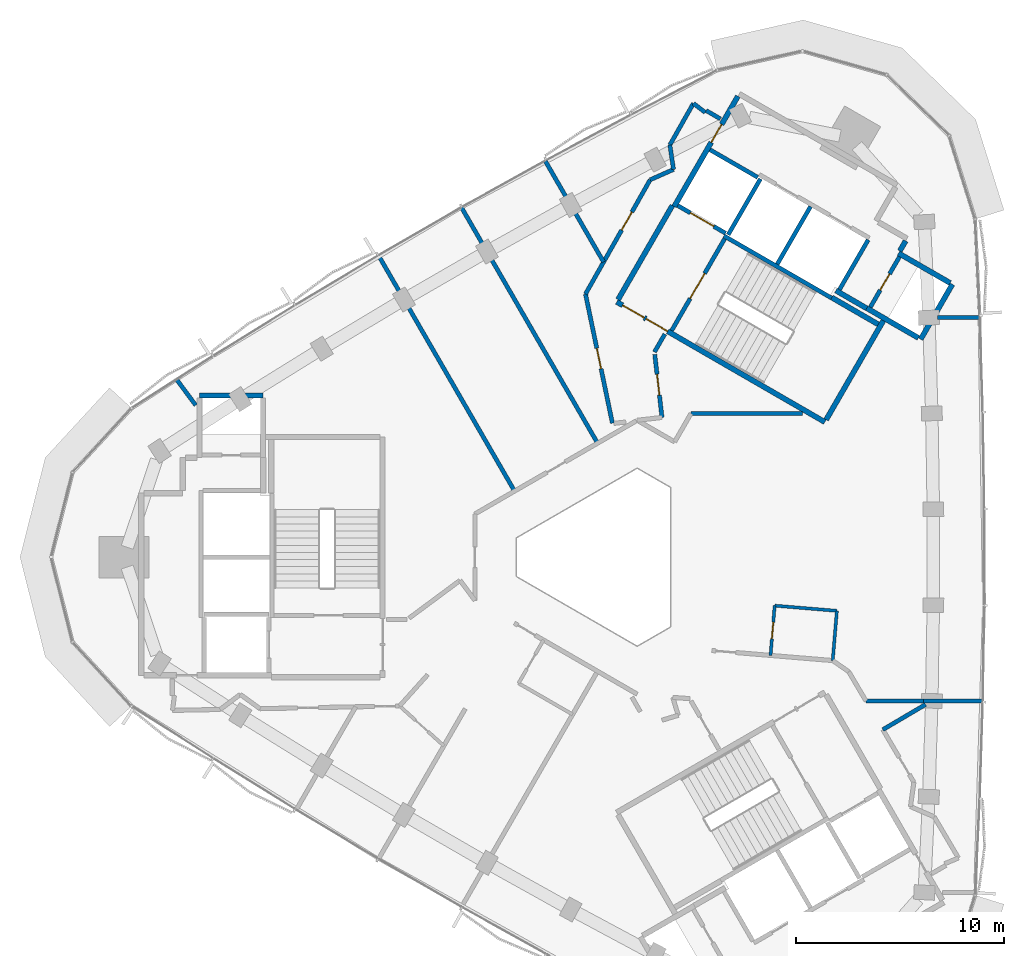
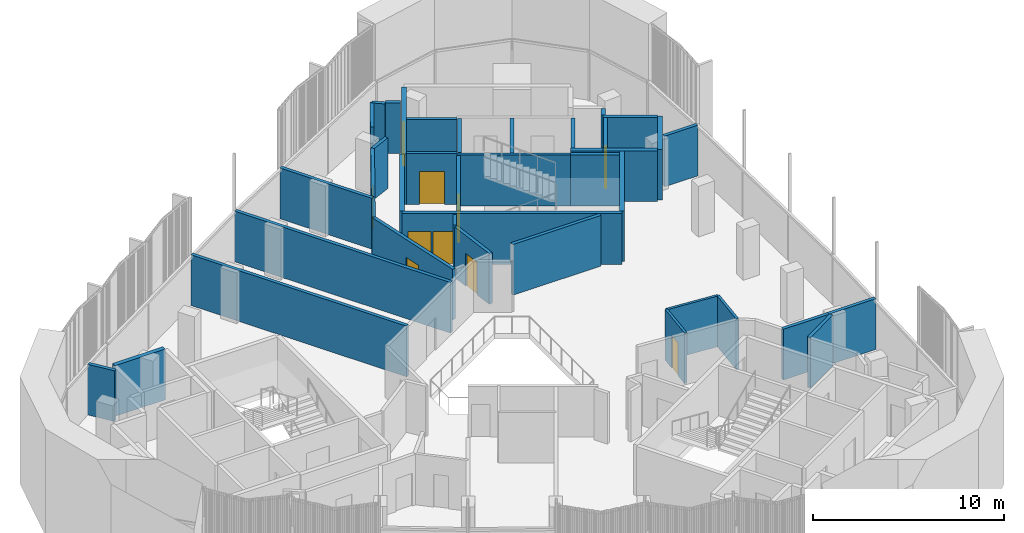
# One storey, part 8 of 12: 40 walls, 10 doors, 10 openings.
"""IFC4 building model written with IfcOpenShell, lengths in metres."""

from ifc_helpers import new_model, si_unit, direction, frame, frame_2d, origin, place, context, subcontext, project, spatial, rectangle, extrude, material, layer, layer_set, type_object, element, fill, save


model = new_model("IFC4")

# Units and contexts
model_context = context("Model", 3, precision=1e-05, world=origin(), true_north=direction((0.0, 1.0)))
body_context = subcontext(model_context, "Body", "Model", "MODEL_VIEW")
ifc_project = project(units=[si_unit("LENGTHUNIT", "METRE"), si_unit("AREAUNIT", "SQUARE_METRE"), si_unit("VOLUMEUNIT", "CUBIC_METRE"), si_unit("PLANEANGLEUNIT", "RADIAN"), si_unit("MASSUNIT", "GRAM", prefix="KILO")], contexts=[model_context])

# Site, building, storey
site_placement = place(None, origin())
site = spatial("IfcSite", under=ifc_project, at=site_placement, CompositionType="ELEMENT")
building_placement = place(site_placement, origin())
building = spatial("IfcBuilding", under=site, at=building_placement, Name="Tamra Quay Hotel Tower", CompositionType="ELEMENT")
storey_placement = place(building_placement, frame((0.0, 0.0, 273.0)))
storey = spatial("IfcBuildingStorey", under=building, at=storey_placement, Name="L69", CompositionType="ELEMENT", Elevation=273.0)

# Wall
ifc_material_1 = material(Name="Concrete M70", Category="concrete")
ifc_layer_1 = layer(ifc_material_1, 0.199951171875)
ifc_layer_set_1 = layer_set([ifc_layer_1], Name="Concrete M70 core wall 200")
wall_type_1 = type_object("IfcWallType", Name="Concrete M70 core wall 200", PredefinedType="SHEAR", material=ifc_layer_set_1)
wall_1_placement = place(storey_placement, frame((10.7431640625, 12.4599609375, 0.0), z_axis=(0.0, 0.0, 1.0), x_axis=(-0.866018848283, 0.500011354289, 0.0)))
element("IfcWall", 1, at=wall_1_placement, inside=storey, type_object=wall_type_1, Name="CW2", PredefinedType="SHEAR", context=body_context, shape_type="SweptSolid", body=[
    extrude(rectangle(XDim=5.973876953125, YDim=0.199951171875, at=frame_2d((2.98681640625, 0.0))), origin(), (0.0, 0.0, 1.0), 3.25),
])

# Wall, opening, door
wall_2_placement = place(storey_placement, frame((3.056640625, 10.89453125, 0.0), z_axis=(0.0, 0.0, 1.0), x_axis=(0.500027839223, 0.866009330205, 0.0)))
wall_2 = element("IfcWall", 2, at=wall_2_placement, inside=storey, type_object=wall_type_1, Name="CW2", PredefinedType="SHEAR", context=body_context, shape_type="SweptSolid", body=[
    extrude(rectangle(XDim=5.097900390625, YDim=0.199951171875, at=frame_2d((2.548828125, 0.0))), origin(), (0.0, 0.0, 1.0), 3.25),
])
opening_1_placement = place(wall_2_placement, frame((1.77392578125, 0.0, 0.0)))
opening_1 = element("IfcOpeningElement", 3, at=opening_1_placement, cuts=wall_2, Name="Opening FD2", PredefinedType="OPENING", context=body_context, shape_type="SweptSolid", body=[
    extrude(rectangle(XDim=1.39990234375, YDim=2.10009765625, at=frame_2d((0.699951171875, 1.050048828125))), frame((0.0, 0.10986328125, 0.0), z_axis=(0.0, -1.0, 0.0), x_axis=(1.0, 0.0, 0.0)), (0.0, 0.0, 1.0), 0.219970703125),
])
ifc_material_2 = material(Name="Core door FD2 1400x2100 RH")
door_type_1 = type_object("IfcDoorType", Name="Core door FD2 1400x2100 RH", OperationType="NOTDEFINED", PredefinedType="DOOR", material=ifc_material_2)
door_1_placement = place(opening_1_placement, origin())
door_1 = element("IfcDoor", 4, at=door_1_placement, inside=storey, type_object=door_type_1, Name="FD2", OperationType="SINGLE_SWING_RIGHT", OverallHeight=2.10009765625, OverallWidth=1.39990234375, PredefinedType="DOOR", context=body_context, shape_type="SweptSolid", body=[
    extrude(rectangle(XDim=1.39990234375, YDim=2.10009765625, at=frame_2d((0.699951171875, 1.050048828125))), frame((0.0, 0.02490234375, 0.0), z_axis=(0.0, -1.0, 0.0), x_axis=(1.0, 0.0, 0.0)), (0.0, 0.0, 1.0), 0.050048828125),
])
fill(opening_1, door_1)

# Wall
wall_3_placement = place(storey_placement, frame((8.131591796875, 14.08447265625, 0.0), z_axis=(0.0, 0.0, 1.0), x_axis=(0.500030834389, 0.86600760081, 0.0)))
element("IfcWall", 5, at=wall_3_placement, inside=storey, type_object=wall_type_1, Name="CW2", PredefinedType="SHEAR", context=body_context, shape_type="SweptSolid", body=[
    extrude(rectangle(XDim=3.197998046875, YDim=0.199951171875, at=frame_2d((1.59912109375, 0.0))), origin(), (0.0, 0.0, 1.0), 3.25),
])

# Wall, opening, door
wall_4_placement = place(storey_placement, frame((14.0078125, 14.442138671875, 0.0), z_axis=(0.0, 0.0, 1.0), x_axis=(-0.499986818241, -0.866033014143, 0.0)))
wall_4 = element("IfcWall", 6, at=wall_4_placement, inside=storey, type_object=wall_type_1, Name="CW2", PredefinedType="SHEAR", context=body_context, shape_type="SweptSolid", body=[
    extrude(rectangle(XDim=2.7978515625, YDim=0.199951171875, at=frame_2d((1.39892578125, 0.0))), origin(), (0.0, 0.0, 1.0), 3.25),
])
opening_2_placement = place(wall_4_placement, frame((0.948974609375, 0.0, 0.0)))
opening_2 = element("IfcOpeningElement", 7, at=opening_2_placement, cuts=wall_4, Name="Opening D1", PredefinedType="OPENING", context=body_context, shape_type="SweptSolid", body=[
    extrude(rectangle(XDim=0.89990234375, YDim=2.10009765625, at=frame_2d((0.449951171875, 1.050048828125))), frame((0.0, 0.10986328125, 0.0), z_axis=(0.0, -1.0, 0.0), x_axis=(1.0, 0.0, 0.0)), (0.0, 0.0, 1.0), 0.219970703125),
])
ifc_material_3 = material(Name="Core door D1 900x2100 LH")
door_type_2 = type_object("IfcDoorType", Name="Core door D1 900x2100 LH", OperationType="NOTDEFINED", PredefinedType="DOOR", material=ifc_material_3)
door_2_placement = place(opening_2_placement, origin())
door_2 = element("IfcDoor", 8, at=door_2_placement, inside=storey, type_object=door_type_2, Name="D1", OperationType="SINGLE_SWING_LEFT", OverallHeight=2.10009765625, OverallWidth=0.89990234375, PredefinedType="DOOR", context=body_context, shape_type="SweptSolid", body=[
    extrude(rectangle(XDim=0.89990234375, YDim=2.10009765625, at=frame_2d((0.449951171875, 1.050048828125))), frame((0.0, 0.02490234375, 0.0), z_axis=(0.0, -1.0, 0.0), x_axis=(1.0, 0.0, 0.0)), (0.0, 0.0, 1.0), 0.050048828125),
])
fill(opening_2, door_2)

# Walls
wall_5_placement = place(storey_placement, frame((12.50244140625, 15.2548828125, 0.0), z_axis=(0.0, 0.0, 1.0), x_axis=(-0.499965018551, -0.866045599391, 0.0)))
element("IfcWall", 9, at=wall_5_placement, inside=storey, type_object=wall_type_1, Name="CW2", PredefinedType="SHEAR", context=body_context, shape_type="SweptSolid", body=[
    extrude(rectangle(XDim=2.759033203125, YDim=0.199951171875, at=frame_2d((1.37939453125, 0.0))), origin(), (0.0, 0.0, 1.0), 3.25),
])
wall_6_placement = place(storey_placement, frame((7.324462890625, 18.1865234375, 0.0), z_axis=(0.0, 0.0, 1.0), x_axis=(-0.499967891604, -0.866043940782, 0.0)))
element("IfcWall", 10, at=wall_6_placement, inside=storey, type_object=wall_type_1, Name="CW2", PredefinedType="SHEAR", context=body_context, shape_type="SweptSolid", body=[
    extrude(rectangle(XDim=3.099853515625, YDim=0.199951171875, at=frame_2d((1.5498046875, 0.0))), origin(), (0.0, 0.0, 1.0), 3.25),
])

# Wall, opening, door
wall_7_placement = place(storey_placement, frame((5.646240234375, 15.575927734375, 0.0), z_axis=(0.0, 0.0, 1.0), x_axis=(-0.866018407898, 0.500012117035, 0.0)))
wall_7 = element("IfcWall", 11, at=wall_7_placement, inside=storey, type_object=wall_type_1, Name="CW2", PredefinedType="SHEAR", context=body_context, shape_type="SweptSolid", body=[
    extrude(rectangle(XDim=2.65087890625, YDim=0.199951171875, at=frame_2d((1.325439453125, 0.0))), origin(), (0.0, 0.0, 1.0), 3.25),
])
opening_3_placement = place(wall_7_placement, frame((0.65185546875, 0.0, 0.0)))
opening_3 = element("IfcOpeningElement", 12, at=opening_3_placement, cuts=wall_7, Name="Opening LD", PredefinedType="OPENING", context=body_context, shape_type="SweptSolid", body=[
    extrude(rectangle(XDim=1.300048828125, YDim=2.10009765625, at=frame_2d((0.64990234375, 1.050048828125))), frame((0.0, 0.10986328125, 0.0), z_axis=(0.0, -1.0, 0.0), x_axis=(1.0, 0.0, 0.0)), (0.0, 0.0, 1.0), 0.219970703125),
])
ifc_material_4 = material(Name="Landing door LD 1300 sliding to right")
door_type_3 = type_object("IfcDoorType", Name="Landing door LD 1300 sliding to right", OperationType="NOTDEFINED", PredefinedType="DOOR", material=ifc_material_4)
door_3_placement = place(opening_3_placement, origin())
door_3 = element("IfcDoor", 13, at=door_3_placement, inside=storey, type_object=door_type_3, Name="LD", OperationType="SLIDING_TO_RIGHT", OverallHeight=2.10009765625, OverallWidth=1.300048828125, PredefinedType="DOOR", context=body_context, shape_type="SweptSolid", body=[
    extrude(rectangle(XDim=1.300048828125, YDim=2.10009765625, at=frame_2d((0.64990234375, 1.050048828125))), frame((0.0, 0.02490234375, 0.0), z_axis=(0.0, -1.0, 0.0), x_axis=(1.0, 0.0, 0.0)), (0.0, 0.0, 1.0), 0.050048828125),
])
fill(opening_3, door_3)

# Walls
wall_8_placement = place(storey_placement, frame((7.1962890625, 18.260498046875, 0.0), z_axis=(0.0, 0.0, 1.0), x_axis=(-0.866018407898, 0.500012117035, 0.0)))
element("IfcWall", 14, at=wall_8_placement, inside=storey, type_object=wall_type_1, Name="CW2", PredefinedType="SHEAR", context=body_context, shape_type="SweptSolid", body=[
    extrude(rectangle(XDim=2.65087890625, YDim=0.199951171875, at=frame_2d((1.325439453125, 0.0))), origin(), (0.0, 0.0, 1.0), 3.25),
])
ifc_layer_2 = layer(ifc_material_1, 0.25)
ifc_layer_set_2 = layer_set([ifc_layer_2], Name="Concrete M70 core wall 250")
wall_type_2 = type_object("IfcWallType", Name="Concrete M70 core wall 250", PredefinedType="SHEAR", material=ifc_layer_set_2)
wall_9_placement = place(storey_placement, frame((-19.63720703125, 7.77490234375, 0.0), z_axis=(0.0, 0.0, 1.0), x_axis=(1.0, 0.0, 0.0)))
element("IfcWall", 15, at=wall_9_placement, inside=storey, type_object=wall_type_2, Name="CW1", PredefinedType="SHEAR", context=body_context, shape_type="SweptSolid", body=[
    extrude(rectangle(XDim=3.0498046875, YDim=0.25, at=frame_2d((1.52490234375, 0.0))), origin(), (0.0, 0.0, 1.0), 3.25),
])

# Wall, openings, doors
wall_10_placement = place(storey_placement, frame((10.419921875, 6.497802734375, 0.0), z_axis=(0.0, 0.0, 1.0), x_axis=(-0.866021906294, 0.500006057782, 0.0)))
wall_10 = element("IfcWall", 16, at=wall_10_placement, inside=storey, type_object=wall_type_2, Name="CW1", PredefinedType="SHEAR", context=body_context, shape_type="SweptSolid", body=[
    extrude(rectangle(XDim=11.550048828125, YDim=0.25, at=frame_2d((5.77490234375, 0.0))), origin(), (0.0, 0.0, 1.0), 3.25),
])
opening_4_placement = place(wall_10_placement, frame((10.02490234375, 0.0, 0.0)))
opening_4 = element("IfcOpeningElement", 17, at=opening_4_placement, cuts=wall_10, Name="Opening FD1", PredefinedType="OPENING", context=body_context, shape_type="SweptSolid", body=[
    extrude(rectangle(XDim=1.199951171875, YDim=2.10009765625, at=frame_2d((0.60009765625, 1.050048828125))), frame((0.0, 0.135009765625, 0.0), z_axis=(0.0, -1.0, 0.0), x_axis=(1.0, 0.0, 0.0)), (0.0, 0.0, 1.0), 0.27001953125),
])
opening_5_placement = place(wall_10_placement, frame((8.724853515625, 0.0, 0.0)))
opening_5 = element("IfcOpeningElement", 18, at=opening_5_placement, cuts=wall_10, Name="Opening FD1", PredefinedType="OPENING", context=body_context, shape_type="SweptSolid", body=[
    extrude(rectangle(XDim=1.199951171875, YDim=2.10009765625, at=frame_2d((0.60009765625, 1.050048828125))), frame((0.0, 0.135009765625, 0.0), z_axis=(0.0, -1.0, 0.0), x_axis=(1.0, 0.0, 0.0)), (0.0, 0.0, 1.0), 0.27001953125),
])
ifc_material_5 = material(Name="Core door FD1 1200x2100 LH")
door_type_4 = type_object("IfcDoorType", Name="Core door FD1 1200x2100 LH", OperationType="NOTDEFINED", PredefinedType="DOOR", material=ifc_material_5)
door_4_placement = place(opening_4_placement, origin())
door_4 = element("IfcDoor", 19, at=door_4_placement, inside=storey, type_object=door_type_4, Name="FD1", OperationType="SINGLE_SWING_LEFT", OverallHeight=2.10009765625, OverallWidth=1.199951171875, PredefinedType="DOOR", context=body_context, shape_type="SweptSolid", body=[
    extrude(rectangle(XDim=1.199951171875, YDim=2.10009765625, at=frame_2d((0.60009765625, 1.050048828125))), frame((0.0, 0.02490234375, 0.0), z_axis=(0.0, -1.0, 0.0), x_axis=(1.0, 0.0, 0.0)), (0.0, 0.0, 1.0), 0.050048828125),
])
fill(opening_4, door_4)
ifc_material_6 = material(Name="Core door FD1 1200x2100 RH")
door_type_5 = type_object("IfcDoorType", Name="Core door FD1 1200x2100 RH", OperationType="NOTDEFINED", PredefinedType="DOOR", material=ifc_material_6)
door_5_placement = place(opening_5_placement, origin())
door_5 = element("IfcDoor", 20, at=door_5_placement, inside=storey, type_object=door_type_5, Name="FD1", OperationType="SINGLE_SWING_RIGHT", OverallHeight=2.10009765625, OverallWidth=1.199951171875, PredefinedType="DOOR", context=body_context, shape_type="SweptSolid", body=[
    extrude(rectangle(XDim=1.199951171875, YDim=2.10009765625, at=frame_2d((0.60009765625, 1.050048828125))), frame((0.0, 0.02490234375, 0.0), z_axis=(0.0, -1.0, 0.0), x_axis=(1.0, 0.0, 0.0)), (0.0, 0.0, 1.0), 0.050048828125),
])
fill(opening_5, door_5)

# Wall, opening, door
wall_11_placement = place(storey_placement, frame((3.178955078125, 16.856201171875, 0.0), z_axis=(0.0, 0.0, 1.0), x_axis=(0.500001955336, 0.866024274868, 0.0)))
wall_11 = element("IfcWall", 21, at=wall_11_placement, inside=storey, type_object=wall_type_2, Name="CW1", PredefinedType="SHEAR", context=body_context, shape_type="SweptSolid", body=[
    extrude(rectangle(XDim=6.12451171875, YDim=0.25, at=frame_2d((3.062255859375, 0.0))), origin(), (0.0, 0.0, 1.0), 3.25),
])
opening_6_placement = place(wall_11_placement, frame((3.562744140625, 0.0, 0.0)))
opening_6 = element("IfcOpeningElement", 22, at=opening_6_placement, cuts=wall_11, Name="Opening FD3", PredefinedType="OPENING", context=body_context, shape_type="SweptSolid", body=[
    extrude(rectangle(XDim=1.0, YDim=2.10009765625, at=frame_2d((0.5, 1.050048828125))), frame((0.0, 0.135009765625, 0.0), z_axis=(0.0, -1.0, 0.0), x_axis=(1.0, 0.0, 0.0)), (0.0, 0.0, 1.0), 0.27001953125),
])
ifc_material_7 = material(Name="Core door FD3 1000x2100 LH")
door_type_6 = type_object("IfcDoorType", Name="Core door FD3 1000x2100 LH", OperationType="NOTDEFINED", PredefinedType="DOOR", material=ifc_material_7)
door_6_placement = place(opening_6_placement, origin())
door_6 = element("IfcDoor", 23, at=door_6_placement, inside=storey, type_object=door_type_6, Name="FD3", OperationType="SINGLE_SWING_LEFT", OverallHeight=2.10009765625, OverallWidth=1.0, PredefinedType="DOOR", context=body_context, shape_type="SweptSolid", body=[
    extrude(rectangle(XDim=1.0, YDim=2.10009765625, at=frame_2d((0.5, 1.050048828125))), frame((0.0, 0.02490234375, 0.0), z_axis=(0.0, -1.0, 0.0), x_axis=(1.0, 0.0, 0.0)), (0.0, 0.0, 1.0), 0.050048828125),
])
fill(opening_6, door_6)

# Walls
wall_12_placement = place(storey_placement, frame((0.47998046875, 12.38134765625, 0.0), z_axis=(0.0, 0.0, 1.0), x_axis=(0.49999885962, 0.866026062182, 0.0)))
element("IfcWall", 24, at=wall_12_placement, inside=storey, type_object=wall_type_2, Name="CW1", PredefinedType="SHEAR", context=body_context, shape_type="SweptSolid", body=[
    extrude(rectangle(XDim=5.224609375, YDim=0.25, at=frame_2d((2.6123046875, 0.0))), origin(), (0.0, 0.0, 1.0), 3.25),
])
wall_13_placement = place(storey_placement, frame((13.237548828125, 11.3779296875, 0.0), z_axis=(0.0, 0.0, 1.0), x_axis=(-0.500008851346, -0.866020293397, 0.0)))
element("IfcWall", 25, at=wall_13_placement, inside=storey, type_object=wall_type_2, Name="CW1", PredefinedType="SHEAR", context=body_context, shape_type="SweptSolid", body=[
    extrude(rectangle(XDim=5.509765625, YDim=0.25, at=frame_2d((2.7548828125, 0.0))), origin(), (0.0, 0.0, 1.0), 3.25),
])
wall_14_placement = place(storey_placement, frame((16.552001953125, 13.118896484375, 0.0), z_axis=(0.0, 0.0, 1.0), x_axis=(-0.499978833458, -0.866037623948, 0.0)))
element("IfcWall", 26, at=wall_14_placement, inside=storey, type_object=wall_type_2, Name="CW1", PredefinedType="SHEAR", context=body_context, shape_type="SweptSolid", body=[
    extrude(rectangle(XDim=3.050048828125, YDim=0.25, at=frame_2d((1.52490234375, 0.0))), origin(), (0.0, 0.0, 1.0), 3.25),
])
wall_15_placement = place(storey_placement, frame((14.91845703125, 10.540283203125, 0.0), z_axis=(0.0, 0.0, 1.0), x_axis=(-0.866063538972, 0.499933942099, 0.0)))
element("IfcWall", 27, at=wall_15_placement, inside=storey, type_object=wall_type_2, Name="CW1", PredefinedType="SHEAR", context=body_context, shape_type="SweptSolid", body=[
    extrude(rectangle(XDim=2.86474609375, YDim=0.25, at=frame_2d((1.432373046875, 0.0))), origin(), (0.0, 0.0, 1.0), 3.25),
])
wall_16_placement = place(storey_placement, frame((13.962646484375, 14.61376953125, 0.0), z_axis=(0.0, 0.0, 1.0), x_axis=(0.866042235819, -0.499970844928, 0.0)))
element("IfcWall", 28, at=wall_16_placement, inside=storey, type_object=wall_type_2, Name="CW1", PredefinedType="SHEAR", context=body_context, shape_type="SweptSolid", body=[
    extrude(rectangle(XDim=2.864501953125, YDim=0.25, at=frame_2d((1.43212890625, 0.0))), origin(), (0.0, 0.0, 1.0), 3.25),
])
wall_17_placement = place(storey_placement, frame((10.756591796875, 12.481201171875, 0.0), z_axis=(0.0, 0.0, 1.0), x_axis=(0.866022940537, -0.500004266446, 0.0)))
element("IfcWall", 29, at=wall_17_placement, inside=storey, type_object=wall_type_2, Name="CW1", PredefinedType="SHEAR", context=body_context, shape_type="SweptSolid", body=[
    extrude(rectangle(XDim=2.57470703125, YDim=0.25, at=frame_2d((1.287353515625, 0.0))), origin(), (0.0, 0.0, 1.0), 3.25),
])
wall_18_placement = place(storey_placement, frame((12.4326171875, 11.9638671875, 0.0), z_axis=(0.0, 0.0, 1.0), x_axis=(-0.866038183914, 0.499977863513, 0.0)))
element("IfcWall", 30, at=wall_18_placement, inside=storey, type_object=wall_type_2, Name="CW1", PredefinedType="SHEAR", context=body_context, shape_type="SweptSolid", body=[
    extrude(rectangle(XDim=1.7099609375, YDim=0.25, at=frame_2d((0.85498046875, 0.0))), origin(), (0.0, 0.0, 1.0), 3.25),
])
wall_19_placement = place(storey_placement, frame((14.304931640625, 15.206787109375, 0.0), z_axis=(0.0, 0.0, 1.0), x_axis=(-0.499848422343, -0.866112899501, 0.0)))
element("IfcWall", 31, at=wall_19_placement, inside=storey, type_object=wall_type_2, Name="CW1", PredefinedType="SHEAR", context=body_context, shape_type="SweptSolid", body=[
    extrude(rectangle(XDim=0.559326171875, YDim=0.25, at=frame_2d((0.27978515625, 0.0))), origin(), (0.0, 0.0, 1.0), 3.25),
])

# Wall, opening, door
ifc_material_8 = material(Name="Partition corridor wall")
ifc_layer_3 = layer(ifc_material_8, 0.199951171875)
ifc_layer_set_3 = layer_set([ifc_layer_3], Name="Partition corridor wall")
wall_type_3 = type_object("IfcWallType", Name="Partition corridor wall", PredefinedType="PARTITIONING", material=ifc_layer_set_3)
wall_20_placement = place(storey_placement, frame((-1.085693359375, 12.650390625, 0.0), z_axis=(0.0, 0.0, 1.0), x_axis=(0.492563383526, 0.870276572826, 0.0)))
wall_20 = element("IfcWall", 32, at=wall_20_placement, inside=storey, type_object=wall_type_3, Name="W-C", PredefinedType="PARTITIONING", context=body_context, shape_type="SweptSolid", body=[
    extrude(rectangle(XDim=6.30908203125, YDim=0.199951171875, at=frame_2d((3.154541015625, 0.0))), origin(), (0.0, 0.0, 1.0), 3.25),
])
opening_7_placement = place(wall_20_placement, frame((3.533203125, 0.0, 0.0)))
opening_7 = element("IfcOpeningElement", 33, at=opening_7_placement, cuts=wall_20, Name="Opening L69-D005", PredefinedType="OPENING", context=body_context, shape_type="SweptSolid", body=[
    extrude(rectangle(XDim=1.0, YDim=2.10009765625, at=frame_2d((0.5, 1.050048828125))), frame((0.0, 0.10986328125, 0.0), z_axis=(0.0, -1.0, 0.0), x_axis=(1.0, 0.0, 0.0)), (0.0, 0.0, 1.0), 0.219970703125),
])
ifc_material_9 = material(Name="Door guest room 1000x2100")
door_type_7 = type_object("IfcDoorType", Name="Door guest room 1000x2100", OperationType="NOTDEFINED", PredefinedType="DOOR", material=ifc_material_9)
door_7_placement = place(opening_7_placement, frame((1.0, 0.0, 0.0), z_axis=(0.0, 0.0, 1.0), x_axis=(-1.0, 0.0, 0.0)))
door_7 = element("IfcDoor", 34, at=door_7_placement, inside=storey, type_object=door_type_7, Name="L69-D005", OperationType="SINGLE_SWING_LEFT", OverallHeight=2.10009765625, OverallWidth=1.0, PredefinedType="DOOR", context=body_context, shape_type="SweptSolid", body=[
    extrude(rectangle(XDim=1.0, YDim=2.10009765625, at=frame_2d((0.5, 1.050048828125))), frame((0.0, 0.02490234375, 0.0), z_axis=(0.0, -1.0, 0.0), x_axis=(1.0, 0.0, 0.0)), (0.0, 0.0, 1.0), 0.050048828125),
])
fill(opening_7, door_7)

wall_21_placement = place(storey_placement, frame((-1.0849609375, 12.64990234375, 0.0), z_axis=(0.0, 0.0, 1.0), x_axis=(0.203998862084, -0.97897112535, 0.0)))
wall_21 = element("IfcWall", 35, at=wall_21_placement, inside=storey, type_object=wall_type_3, Name="W-C", PredefinedType="PARTITIONING", context=body_context, shape_type="SweptSolid", body=[
    extrude(rectangle(XDim=6.338134765625, YDim=0.199951171875, at=frame_2d((3.1689453125, 0.0))), origin(), (0.0, 0.0, 1.0), 3.25),
])
opening_8_placement = place(wall_21_placement, frame((2.669189453125, 0.0, 0.0)))
opening_8 = element("IfcOpeningElement", 36, at=opening_8_placement, cuts=wall_21, Name="Opening L69-D006", PredefinedType="OPENING", context=body_context, shape_type="SweptSolid", body=[
    extrude(rectangle(XDim=1.0, YDim=2.10009765625, at=frame_2d((0.5, 1.050048828125))), frame((0.0, 0.10986328125, 0.0), z_axis=(0.0, -1.0, 0.0), x_axis=(1.0, 0.0, 0.0)), (0.0, 0.0, 1.0), 0.219970703125),
])
door_8_placement = place(opening_8_placement, frame((1.0, 0.0, 0.0), z_axis=(0.0, 0.0, 1.0), x_axis=(-1.0, 0.0, 0.0)))
door_8 = element("IfcDoor", 37, at=door_8_placement, inside=storey, type_object=door_type_7, Name="L69-D006", OperationType="SINGLE_SWING_LEFT", OverallHeight=2.10009765625, OverallWidth=1.0, PredefinedType="DOOR", context=body_context, shape_type="SweptSolid", body=[
    extrude(rectangle(XDim=1.0, YDim=2.10009765625, at=frame_2d((0.5, 1.050048828125))), frame((0.0, 0.02490234375, 0.0), z_axis=(0.0, -1.0, 0.0), x_axis=(1.0, 0.0, 0.0)), (0.0, 0.0, 1.0), 0.050048828125),
])
fill(opening_8, door_8)

# Wall
wall_22_placement = place(storey_placement, frame((2.02197265625, 18.14111328125, 0.0), z_axis=(0.0, 0.0, 1.0), x_axis=(0.914212683456, 0.405234709036, 0.0)))
element("IfcWall", 38, at=wall_22_placement, inside=storey, type_object=wall_type_3, Name="W-C", PredefinedType="PARTITIONING", context=body_context, shape_type="SweptSolid", body=[
    extrude(rectangle(XDim=1.228515625, YDim=0.199951171875, at=frame_2d((0.6142578125, 0.0))), origin(), (0.0, 0.0, 1.0), 3.25),
])

# Wall, opening, door
wall_23_placement = place(storey_placement, frame((2.592041015625, 6.718994140625, 0.0), z_axis=(0.0, 0.0, 1.0), x_axis=(-0.114027951455, 0.993477541914, 0.0)))
wall_23 = element("IfcWall", 39, at=wall_23_placement, inside=storey, type_object=wall_type_3, Name="W-C", PredefinedType="PARTITIONING", context=body_context, shape_type="SweptSolid", body=[
    extrude(rectangle(XDim=3.046630859375, YDim=0.199951171875, at=frame_2d((1.5234375, 0.0))), origin(), (0.0, 0.0, 1.0), 3.25),
])
opening_9_placement = place(wall_23_placement, frame((1.082763671875, 0.0, 0.0)))
opening_9 = element("IfcOpeningElement", 40, at=opening_9_placement, cuts=wall_23, Name="Opening L69-D004", PredefinedType="OPENING", context=body_context, shape_type="SweptSolid", body=[
    extrude(rectangle(XDim=1.0, YDim=2.10009765625, at=frame_2d((0.5, 1.050048828125))), frame((0.0, 0.10986328125, 0.0), z_axis=(0.0, -1.0, 0.0), x_axis=(1.0, 0.0, 0.0)), (0.0, 0.0, 1.0), 0.219970703125),
])
door_9_placement = place(opening_9_placement, origin())
door_9 = element("IfcDoor", 41, at=door_9_placement, inside=storey, type_object=door_type_7, Name="L69-D004", OperationType="SINGLE_SWING_LEFT", OverallHeight=2.10009765625, OverallWidth=1.0, PredefinedType="DOOR", context=body_context, shape_type="SweptSolid", body=[
    extrude(rectangle(XDim=1.0, YDim=2.10009765625, at=frame_2d((0.5, 1.050048828125))), frame((0.0, 0.02490234375, 0.0), z_axis=(0.0, -1.0, 0.0), x_axis=(1.0, 0.0, 0.0)), (0.0, 0.0, 1.0), 0.050048828125),
])
fill(opening_9, door_9)

# Walls
wall_24_placement = place(storey_placement, frame((2.23095703125, 9.864013671875, 0.0), z_axis=(0.0, 0.0, 1.0), x_axis=(0.499942098031, 0.866058830921, 0.0)))
element("IfcWall", 42, at=wall_24_placement, inside=storey, type_object=wall_type_3, Name="W-C", PredefinedType="PARTITIONING", context=body_context, shape_type="SweptSolid", body=[
    extrude(rectangle(XDim=0.994140625, YDim=0.199951171875, at=frame_2d((0.4970703125, 0.0))), origin(), (0.0, 0.0, 1.0), 3.25),
])
wall_25_placement = place(storey_placement, frame((2.970703125, 19.817138671875, 0.0), z_axis=(0.0, 0.0, 1.0), x_axis=(0.492596700535, 0.870257715061, 0.0)))
element("IfcWall", 43, at=wall_25_placement, inside=storey, type_object=wall_type_3, Name="W-C", PredefinedType="PARTITIONING", context=body_context, shape_type="SweptSolid", body=[
    extrude(rectangle(XDim=2.296142578125, YDim=0.199951171875, at=frame_2d((1.14794921875, 0.0))), origin(), (0.0, 0.0, 1.0), 3.25),
])
wall_26_placement = place(storey_placement, frame((2.970947265625, 19.81689453125, 0.0), z_axis=(0.0, 0.0, 1.0), x_axis=(0.146184555477, -0.989257335449, 0.0)))
element("IfcWall", 44, at=wall_26_placement, inside=storey, type_object=wall_type_3, Name="W-C", PredefinedType="PARTITIONING", context=body_context, shape_type="SweptSolid", body=[
    extrude(rectangle(XDim=1.190673828125, YDim=0.199951171875, at=frame_2d((0.59521484375, 0.0))), origin(), (0.0, 0.0, 1.0), 2.35009765625),
])
wall_27_placement = place(storey_placement, frame((4.10205078125, 21.81591796875, 0.0), z_axis=(0.0, 0.0, 1.0), x_axis=(0.793783006464, -0.608201067615, 0.0)))
element("IfcWall", 45, at=wall_27_placement, inside=storey, type_object=wall_type_3, Name="W-C", PredefinedType="PARTITIONING", context=body_context, shape_type="SweptSolid", body=[
    extrude(rectangle(XDim=0.711669921875, YDim=0.199951171875, at=frame_2d((0.35595703125, 0.0))), origin(), (0.0, 0.0, 1.0), 3.25),
])
wall_28_placement = place(storey_placement, frame((4.716064453125, 21.468017578125, 0.0), z_axis=(0.0, 0.0, 1.0), x_axis=(0.865912682783, -0.500195187698, 0.0)))
element("IfcWall", 46, at=wall_28_placement, inside=storey, type_object=wall_type_3, Name="W-C", PredefinedType="PARTITIONING", context=body_context, shape_type="SweptSolid", body=[
    extrude(rectangle(XDim=0.789794921875, YDim=0.199951171875, at=frame_2d((0.39501953125, 0.0))), origin(), (0.0, 0.0, 1.0), 3.25),
])
wall_29_placement = place(storey_placement, frame((12.39794921875, -6.909912109375, 0.0), z_axis=(0.0, 0.0, 1.0), x_axis=(1.0, 0.0, 0.0)))
element("IfcWall", 47, at=wall_29_placement, inside=storey, type_object=wall_type_3, Name="W-C", PredefinedType="PARTITIONING", context=body_context, shape_type="SweptSolid", body=[
    extrude(rectangle(XDim=2.761962890625, YDim=0.199951171875, at=frame_2d((1.380859375, 0.0))), origin(), (0.0, 0.0, 1.0), 3.25),
])
wall_30_placement = place(storey_placement, frame((13.2099609375, -8.2890625, 0.0), z_axis=(0.0, 0.0, 1.0), x_axis=(0.861654599216, 0.507495174017, 0.0)))
element("IfcWall", 48, at=wall_30_placement, inside=storey, type_object=wall_type_3, Name="W-C", PredefinedType="PARTITIONING", context=body_context, shape_type="SweptSolid", body=[
    extrude(rectangle(XDim=2.38037109375, YDim=0.199951171875, at=frame_2d((1.190185546875, 0.0))), origin(), (0.0, 0.0, 1.0), 3.25),
])

# Wall, opening, door
ifc_material_10 = material(Name="Partition en-suite wall")
ifc_layer_4 = layer(ifc_material_10, 0.14990234375)
ifc_layer_set_4 = layer_set([ifc_layer_4], Name="Partition en-suite wall")
wall_type_4 = type_object("IfcWallType", Name="Partition en-suite wall", PredefinedType="PARTITIONING", material=ifc_layer_set_4)
wall_31_placement = place(storey_placement, frame((7.80908203125, -4.720947265625, 0.0), z_axis=(0.0, 0.0, 1.0), x_axis=(0.08303704791, 0.996546460871, 0.0)))
wall_31 = element("IfcWall", 49, at=wall_31_placement, inside=storey, type_object=wall_type_4, Name="W-E", PredefinedType="PARTITIONING", context=body_context, shape_type="SweptSolid", body=[
    extrude(rectangle(XDim=2.396240234375, YDim=0.14990234375, at=frame_2d((1.1982421875, 0.0))), origin(), (0.0, 0.0, 1.0), 3.25),
])
opening_10_placement = place(wall_31_placement, frame((0.799560546875, 0.0, 0.0)))
opening_10 = element("IfcOpeningElement", 50, at=opening_10_placement, cuts=wall_31, Name="Opening L69-D003", PredefinedType="OPENING", context=body_context, shape_type="SweptSolid", body=[
    extrude(rectangle(XDim=0.800048828125, YDim=2.10009765625, at=frame_2d((0.39990234375, 1.050048828125))), frame((0.0, 0.0849609375, 0.0), z_axis=(0.0, -1.0, 0.0), x_axis=(1.0, 0.0, 0.0)), (0.0, 0.0, 1.0), 0.169921875),
])
ifc_material_11 = material(Name="Door en-suite 800x2100")
door_type_8 = type_object("IfcDoorType", Name="Door en-suite 800x2100", OperationType="NOTDEFINED", PredefinedType="DOOR", material=ifc_material_11)
door_10_placement = place(opening_10_placement, frame((0.800048828125, 0.0, 0.0), z_axis=(0.0, 0.0, 1.0), x_axis=(-1.0, 0.0, 0.0)))
door_10 = element("IfcDoor", 51, at=door_10_placement, inside=storey, type_object=door_type_8, Name="L69-D003", OperationType="SINGLE_SWING_LEFT", OverallHeight=2.10009765625, OverallWidth=0.800048828125, PredefinedType="DOOR", context=body_context, shape_type="SweptSolid", body=[
    extrude(rectangle(XDim=0.800048828125, YDim=2.10009765625, at=frame_2d((0.39990234375, 1.050048828125))), frame((0.0, 0.02490234375, 0.0), z_axis=(0.0, -1.0, 0.0), x_axis=(1.0, 0.0, 0.0)), (0.0, 0.0, 1.0), 0.050048828125),
])
fill(opening_10, door_10)

# Walls
wall_32_placement = place(storey_placement, frame((8.010009765625, -2.330078125, 0.0), z_axis=(0.0, 0.0, 1.0), x_axis=(0.996572126957, -0.082728445969, 0.0)))
element("IfcWall", 52, at=wall_32_placement, inside=storey, type_object=wall_type_4, Name="W-E", PredefinedType="PARTITIONING", context=body_context, shape_type="SweptSolid", body=[
    extrude(rectangle(XDim=2.995361328125, YDim=0.14990234375, at=frame_2d((1.49755859375, 0.0))), origin(), (0.0, 0.0, 1.0), 3.25),
])
wall_33_placement = place(storey_placement, frame((10.799072265625, -4.969970703125, 0.0), z_axis=(0.0, 0.0, 1.0), x_axis=(0.08296965374, 0.996552074183, 0.0)))
element("IfcWall", 53, at=wall_33_placement, inside=storey, type_object=wall_type_4, Name="W-E", PredefinedType="PARTITIONING", context=body_context, shape_type="SweptSolid", body=[
    extrude(rectangle(XDim=2.398193359375, YDim=0.14990234375, at=frame_2d((1.19921875, 0.0))), origin(), (0.0, 0.0, 1.0), 3.25),
])
ifc_material_12 = material(Name="Partition party wall")
ifc_layer_5 = layer(ifc_material_12, 0.199951171875)
ifc_layer_set_5 = layer_set([ifc_layer_5], Name="Partition party wall")
wall_type_5 = type_object("IfcWallType", Name="Partition party wall", PredefinedType="PARTITIONING", material=ifc_layer_set_5)
wall_34_placement = place(storey_placement, frame((-20.737548828125, 8.5390625, 0.0), z_axis=(0.0, 0.0, 1.0), x_axis=(0.595694844153, -0.803210839475, 0.0)))
element("IfcWall", 54, at=wall_34_placement, inside=storey, type_object=wall_type_5, Name="W-P", PredefinedType="PARTITIONING", context=body_context, shape_type="SweptSolid", body=[
    extrude(rectangle(XDim=1.536376953125, YDim=0.199951171875, at=frame_2d((0.76806640625, 0.0))), origin(), (0.0, 0.0, 1.0), 3.25),
])
wall_35_placement = place(storey_placement, frame((-11.03466796875, 14.505126953125, 0.0), z_axis=(0.0, 0.0, 1.0), x_axis=(0.499989597041, -0.866031409852, 0.0)))
element("IfcWall", 55, at=wall_35_placement, inside=storey, type_object=wall_type_5, Name="W-P", PredefinedType="PARTITIONING", context=body_context, shape_type="SweptSolid", body=[
    extrude(rectangle(XDim=13.079345703125, YDim=0.199951171875, at=frame_2d((6.53955078125, 0.0))), origin(), (0.0, 0.0, 1.0), 3.25),
])
wall_36_placement = place(storey_placement, frame((-7.04443359375, 16.808837890625, 0.0), z_axis=(0.0, 0.0, 1.0), x_axis=(0.499997679687, -0.866026743414, 0.0)))
element("IfcWall", 56, at=wall_36_placement, inside=storey, type_object=wall_type_5, Name="W-P", PredefinedType="PARTITIONING", context=body_context, shape_type="SweptSolid", body=[
    extrude(rectangle(XDim=13.0791015625, YDim=0.199951171875, at=frame_2d((6.53955078125, 0.0))), origin(), (0.0, 0.0, 1.0), 3.25),
])
wall_37_placement = place(storey_placement, frame((-3.01953125, 19.0498046875, 0.0), z_axis=(0.0, 0.0, 1.0), x_axis=(0.499943402613, -0.866058077835, 0.0)))
element("IfcWall", 57, at=wall_37_placement, inside=storey, type_object=wall_type_5, Name="W-P", PredefinedType="PARTITIONING", context=body_context, shape_type="SweptSolid", body=[
    extrude(rectangle(XDim=5.611572265625, YDim=0.199951171875, at=frame_2d((2.8056640625, 0.0))), origin(), (0.0, 0.0, 1.0), 3.25),
])
wall_38_placement = place(storey_placement, frame((3.989990234375, 6.909912109375, 0.0), z_axis=(0.0, 0.0, 1.0), x_axis=(1.0, 0.0, 0.0)))
element("IfcWall", 58, at=wall_38_placement, inside=storey, type_object=wall_type_5, Name="W-P", PredefinedType="PARTITIONING", context=body_context, shape_type="SweptSolid", body=[
    extrude(rectangle(XDim=5.34619140625, YDim=0.199951171875, at=frame_2d((2.673095703125, 0.0))), origin(), (0.0, 0.0, 1.0), 3.25),
])
wall_39_placement = place(storey_placement, frame((15.160888671875, -6.909912109375, 0.0), z_axis=(0.0, 0.0, 1.0), x_axis=(1.0, 0.0, 0.0)))
element("IfcWall", 59, at=wall_39_placement, inside=storey, type_object=wall_type_5, Name="W-P", PredefinedType="PARTITIONING", context=body_context, shape_type="SweptSolid", body=[
    extrude(rectangle(XDim=2.846435546875, YDim=0.199951171875, at=frame_2d((1.42333984375, 0.0))), origin(), (0.0, 0.0, 1.0), 3.25),
])
wall_40_placement = place(storey_placement, frame((15.839599609375, 11.514892578125, 0.0), z_axis=(0.0, 0.0, 1.0), x_axis=(1.0, 0.0, 0.0)))
element("IfcWall", 60, at=wall_40_placement, inside=storey, type_object=wall_type_5, Name="W-P", PredefinedType="PARTITIONING", context=body_context, shape_type="SweptSolid", body=[
    extrude(rectangle(XDim=2.024658203125, YDim=0.199951171875, at=frame_2d((1.01220703125, 0.0))), origin(), (0.0, 0.0, 1.0), 3.25),
])

save(model, "model.ifc")
